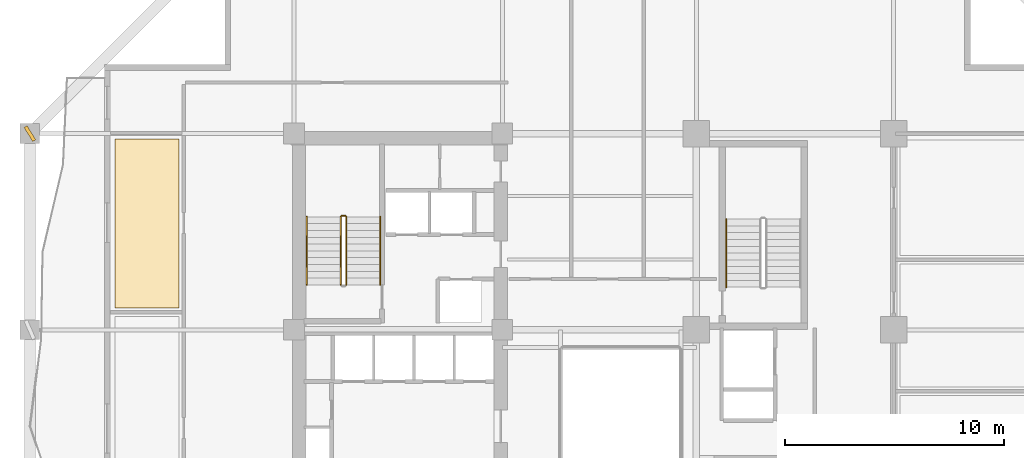
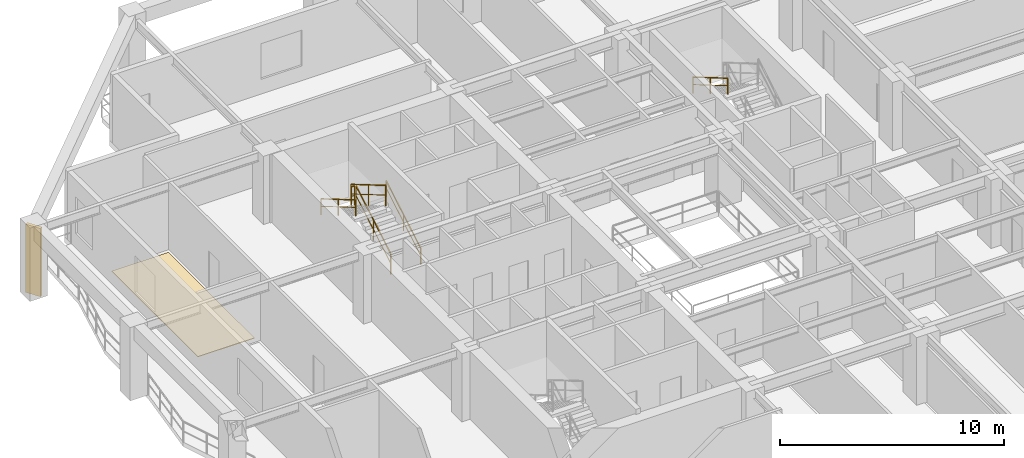
# One storey, part 11 of 13: 6 railings, 1 covering, 1 shading device.
"""IFC4 building model written with IfcOpenShell, lengths in metres."""

from ifc_helpers import new_model, si_unit, direction, frame, origin, origin_2d, place, context, subcontext, project, spatial, polyline, rectangle, outline, extrude, material, layer, layer_set, type_object, element, save


model = new_model("IFC4")

# Units and contexts
model_context = context("Model", 3, precision=1e-05, world=origin(), true_north=direction((0.0, 1.0)))
body_context = subcontext(model_context, "Body", "Model", "MODEL_VIEW")
ifc_project = project(units=[si_unit("LENGTHUNIT", "METRE"), si_unit("AREAUNIT", "SQUARE_METRE"), si_unit("VOLUMEUNIT", "CUBIC_METRE"), si_unit("PLANEANGLEUNIT", "RADIAN"), si_unit("MASSUNIT", "GRAM", prefix="KILO")], contexts=[model_context])

# Site, building, storey
site_placement = place(None, origin())
site = spatial("IfcSite", under=ifc_project, at=site_placement, CompositionType="ELEMENT")
building_placement = place(site_placement, origin())
building = spatial("IfcBuilding", under=site, at=building_placement, Name="Kundavana Baori Tower", CompositionType="ELEMENT")
storey_placement = place(building_placement, frame((0.0, 0.0, 58.0)))
storey = spatial("IfcBuildingStorey", under=building, at=storey_placement, Name="L13", CompositionType="ELEMENT", Elevation=58.0)

# Covering
ifc_material_1 = material(Name="Honed Kota Stone and Terrazzo Flooring", Category="masonry")
ifc_layer = layer(ifc_material_1, 0.030029296875, Name="COV-INT-FLR")
ifc_layer_set = layer_set([ifc_layer], Name="Honed Kota Stone and Terrazzo Flooring")
covering_type = type_object("IfcCoveringType", Name="COV-INT-FLR", PredefinedType="FLOORING", material=ifc_layer_set)
covering_placement = place(storey_placement, origin())
element("IfcCovering", 1, at=covering_placement, inside=storey, type_object=covering_type, Name="L13 Room Finished Stone Flooring 3", PredefinedType="FLOORING", context=body_context, shape_type="SweptSolid", body=[
    extrude(outline(polyline([(7.280029296875, 34.0), (10.199951171875, 34.0), (10.199951171875, 41.699951171875), (7.280029296875, 41.699951171875), (7.280029296875, 34.0)])), origin(), (0.0, 0.0, 1.0), 0.030029296875),
])

# Railings
ifc_material_2 = material(Name="Architectural Patinated Bronze Metalwork")
railing_type_1 = type_object("IfcRailingType", Name="RL-GRD-1150", PredefinedType="GUARDRAIL", material=ifc_material_2)
railing_1_placement = place(storey_placement, frame((17.840087890625, 35.050048828125, 0.181884765625)))
element("IfcRailing", 2, at=railing_1_placement, inside=storey, type_object=railing_type_1, Name="L13 ST2 stair guard 1", PredefinedType="GUARDRAIL", context=body_context, shape_type="SweptSolid", body=[
    extrude(rectangle(XDim=0.048095703125, YDim=0.048095703125, at=origin_2d()), frame((0.0, 0.0, 1.1259765625), z_axis=(0.0, 0.86258143422, 0.50591824373), x_axis=(-1.0, 0.0, 0.0)), (0.0, 0.0, 1.0), 3.59375),
    extrude(rectangle(XDim=0.03125, YDim=0.03125, at=origin_2d()), frame((0.0, 0.0, 0.597900390625), z_axis=(0.0, 0.86258143422, 0.50591824373), x_axis=(-1.0, 0.0, 0.0)), (0.0, 0.0, 1.0), 3.59375),
    extrude(rectangle(XDim=0.0419921875, YDim=0.0419921875, at=origin_2d()), origin(), (0.0, 0.0, 1.0), 1.101806640625),
    extrude(rectangle(XDim=0.0419921875, YDim=0.0419921875, at=origin_2d()), frame((0.0, 1.5498046875, 0.9091796875)), (0.0, 0.0, 1.0), 1.101806640625),
    extrude(rectangle(XDim=0.0419921875, YDim=0.0419921875, at=origin_2d()), frame((0.0, 3.099853515625, 1.818115234375)), (0.0, 0.0, 1.0), 1.101806640625),
])
railing_2_placement = place(storey_placement, frame((17.7900390625, 38.199951171875, 2.0)))
element("IfcRailing", 3, at=railing_2_placement, inside=storey, type_object=railing_type_1, Name="L13 ST2 stair guard 2", PredefinedType="GUARDRAIL", context=body_context, shape_type="SweptSolid", body=[
    extrude(rectangle(XDim=0.048095703125, YDim=0.048095703125, at=origin_2d()), frame((0.0, 0.0, 1.1259765625), z_axis=(-1.0, 0.0, 0.0), x_axis=(0.0, -1.0, 0.0)), (0.0, 0.0, 1.0), 0.16015625),
    extrude(rectangle(XDim=0.03125, YDim=0.03125, at=origin_2d()), frame((0.0, 0.0, 0.597900390625), z_axis=(-1.0, 0.0, 0.0), x_axis=(0.0, -1.0, 0.0)), (0.0, 0.0, 1.0), 0.16015625),
    extrude(rectangle(XDim=0.0419921875, YDim=0.0419921875, at=origin_2d()), origin(), (0.0, 0.0, 1.0), 1.101806640625),
    extrude(rectangle(XDim=0.0419921875, YDim=0.0419921875, at=origin_2d()), frame((-0.16015625, 0.0, 0.0)), (0.0, 0.0, 1.0), 1.101806640625),
])
railing_3_placement = place(storey_placement, frame((17.580078125, 38.14990234375, 2.181884765625)))
element("IfcRailing", 4, at=railing_3_placement, inside=storey, type_object=railing_type_1, Name="L13 ST2 stair guard 3", PredefinedType="GUARDRAIL", context=body_context, shape_type="SweptSolid", body=[
    extrude(rectangle(XDim=0.048095703125, YDim=0.048095703125, at=origin_2d()), frame((0.0, 0.0, 1.1259765625), z_axis=(0.0, -0.86258143422, 0.50591824373), x_axis=(1.0, 0.0, 0.0)), (0.0, 0.0, 1.0), 3.59375),
    extrude(rectangle(XDim=0.03125, YDim=0.03125, at=origin_2d()), frame((0.0, 0.0, 0.597900390625), z_axis=(0.0, -0.86258143422, 0.50591824373), x_axis=(1.0, 0.0, 0.0)), (0.0, 0.0, 1.0), 3.59375),
    extrude(rectangle(XDim=0.0419921875, YDim=0.0419921875, at=origin_2d()), origin(), (0.0, 0.0, 1.0), 1.101806640625),
    extrude(rectangle(XDim=0.0419921875, YDim=0.0419921875, at=origin_2d()), frame((0.0, -1.5498046875, 0.9091796875)), (0.0, 0.0, 1.0), 1.101806640625),
    extrude(rectangle(XDim=0.0419921875, YDim=0.0419921875, at=origin_2d()), frame((0.0, -3.099853515625, 1.818115234375)), (0.0, 0.0, 1.0), 1.101806640625),
])
ifc_material_3 = material(Name="Architectural Patinated Bronze Metalwork")
railing_type_2 = type_object("IfcRailingType", Name="RL-HND-920", PredefinedType="HANDRAIL", material=ifc_material_3)
railing_4_placement = place(storey_placement, frame((19.389892578125, 35.050048828125, 0.181884765625)))
element("IfcRailing", 5, at=railing_4_placement, inside=storey, type_object=railing_type_2, Name="L13 ST2 stair handrail 1", PredefinedType="HANDRAIL", context=body_context, shape_type="SweptSolid", body=[
    extrude(rectangle(XDim=0.048095703125, YDim=0.048095703125, at=origin_2d()), frame((0.0, 0.0, 0.8759765625), z_axis=(0.0, 0.86258143422, 0.50591824373), x_axis=(-1.0, 0.0, 0.0)), (0.0, 0.0, 1.0), 3.59375),
    extrude(rectangle(XDim=0.03125, YDim=0.03125, at=origin_2d()), frame((0.0, 0.0, 0.468017578125), z_axis=(0.0, 0.86258143422, 0.50591824373), x_axis=(-1.0, 0.0, 0.0)), (0.0, 0.0, 1.0), 3.59375),
    extrude(rectangle(XDim=0.0419921875, YDim=0.0419921875, at=origin_2d()), origin(), (0.0, 0.0, 1.0), 0.851806640625),
    extrude(rectangle(XDim=0.0419921875, YDim=0.0419921875, at=origin_2d()), frame((0.0, 1.5498046875, 0.9091796875)), (0.0, 0.0, 1.0), 0.851806640625),
    extrude(rectangle(XDim=0.0419921875, YDim=0.0419921875, at=origin_2d()), frame((0.0, 3.099853515625, 1.818115234375)), (0.0, 0.0, 1.0), 0.851806640625),
])
railing_5_placement = place(storey_placement, frame((16.030029296875, 38.14990234375, 2.181884765625)))
element("IfcRailing", 6, at=railing_5_placement, inside=storey, type_object=railing_type_2, Name="L13 ST2 stair handrail 2", PredefinedType="HANDRAIL", context=body_context, shape_type="SweptSolid", body=[
    extrude(rectangle(XDim=0.048095703125, YDim=0.048095703125, at=origin_2d()), frame((0.0, 0.0, 0.8759765625), z_axis=(0.0, -0.86258143422, 0.50591824373), x_axis=(1.0, 0.0, 0.0)), (0.0, 0.0, 1.0), 3.59375),
    extrude(rectangle(XDim=0.03125, YDim=0.03125, at=origin_2d()), frame((0.0, 0.0, 0.468017578125), z_axis=(0.0, -0.86258143422, 0.50591824373), x_axis=(1.0, 0.0, 0.0)), (0.0, 0.0, 1.0), 3.59375),
    extrude(rectangle(XDim=0.0419921875, YDim=0.0419921875, at=origin_2d()), origin(), (0.0, 0.0, 1.0), 0.851806640625),
    extrude(rectangle(XDim=0.0419921875, YDim=0.0419921875, at=origin_2d()), frame((0.0, -1.5498046875, 0.9091796875)), (0.0, 0.0, 1.0), 0.851806640625),
    extrude(rectangle(XDim=0.0419921875, YDim=0.0419921875, at=origin_2d()), frame((0.0, -3.099853515625, 1.818115234375)), (0.0, 0.0, 1.0), 0.851806640625),
])
railing_6_placement = place(storey_placement, frame((35.169921875, 38.050048828125, 2.181884765625)))
element("IfcRailing", 7, at=railing_6_placement, inside=storey, type_object=railing_type_2, Name="L13 ST3 stair handrail 2", PredefinedType="HANDRAIL", context=body_context, shape_type="SweptSolid", body=[
    extrude(rectangle(XDim=0.048095703125, YDim=0.048095703125, at=origin_2d()), frame((0.0, 0.0, 0.8759765625), z_axis=(0.0, -0.862598821094, 0.505888598258), x_axis=(1.0, 0.0, 0.0)), (0.0, 0.0, 1.0), 3.593994140625),
    extrude(rectangle(XDim=0.03125, YDim=0.03125, at=origin_2d()), frame((0.0, 0.0, 0.468017578125), z_axis=(0.0, -0.862598821094, 0.505888598258), x_axis=(1.0, 0.0, 0.0)), (0.0, 0.0, 1.0), 3.593994140625),
    extrude(rectangle(XDim=0.0419921875, YDim=0.0419921875, at=origin_2d()), origin(), (0.0, 0.0, 1.0), 0.851806640625),
    extrude(rectangle(XDim=0.0419921875, YDim=0.0419921875, at=origin_2d()), frame((0.0, -1.550048828125, 0.9091796875)), (0.0, 0.0, 1.0), 0.851806640625),
    extrude(rectangle(XDim=0.0419921875, YDim=0.0419921875, at=origin_2d()), frame((0.0, -3.10009765625, 1.818115234375)), (0.0, 0.0, 1.0), 0.851806640625),
])

# Shading device
ifc_material_4 = material(Name="Red-Buff Dholpur Sandstone Cladding on Concrete C40/50", Category="masonry")
shading_device_type = type_object("IfcShadingDeviceType", Name="SHD-FIN-750", PredefinedType="JALOUSIE", material=ifc_material_4)
shading_device_placement = place(storey_placement, frame((3.39990234375, 41.949951171875, 0.0), z_axis=(0.0, 0.0, 1.0), x_axis=(0.849524601357, 0.527549004064, 0.0)))
element("IfcShadingDevice", 8, at=shading_device_placement, inside=storey, type_object=shading_device_type, Name="L13 Sweeping Dholpur Sandstone Facade Fin 8", PredefinedType="JALOUSIE", context=body_context, shape_type="SweptSolid", body=[
    extrude(rectangle(XDim=0.159912109375, YDim=0.75, at=origin_2d()), origin(), (0.0, 0.0, 1.0), 3.719970703125),
])

save(model, "model.ifc")
